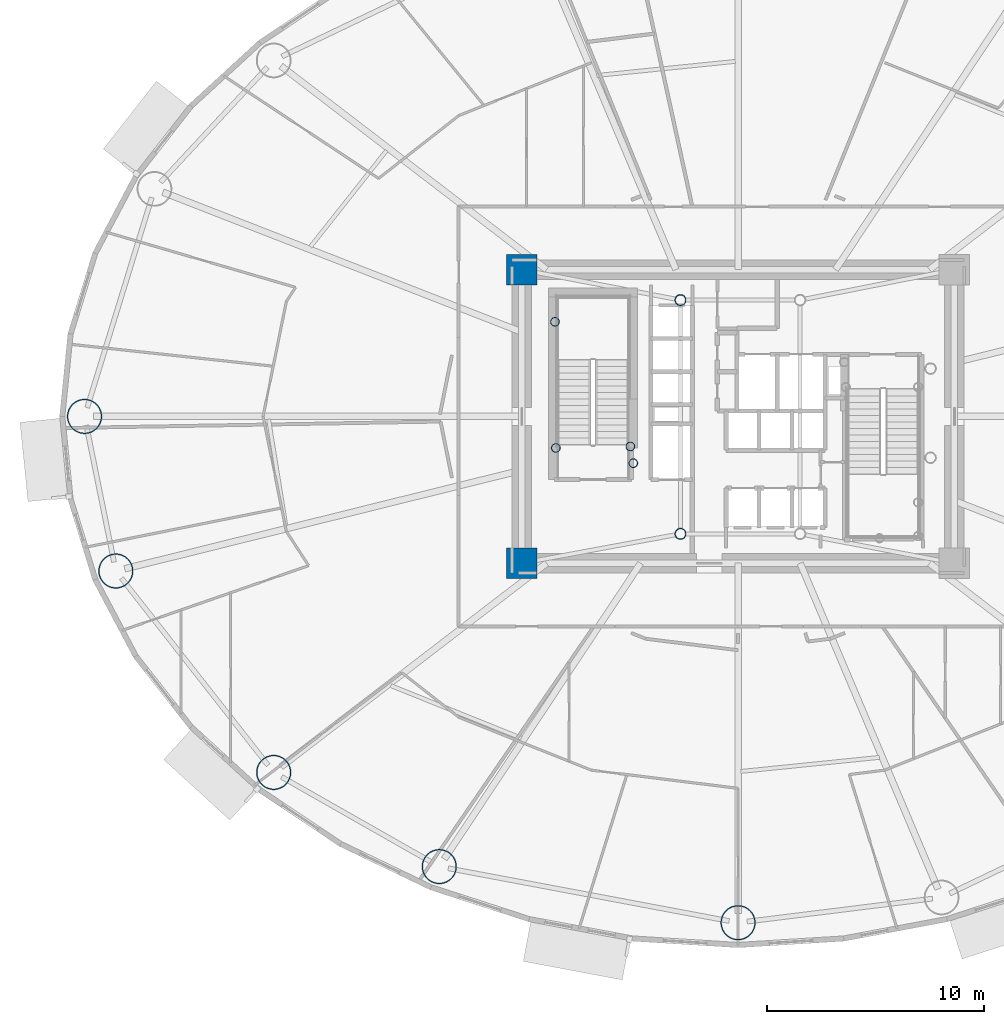
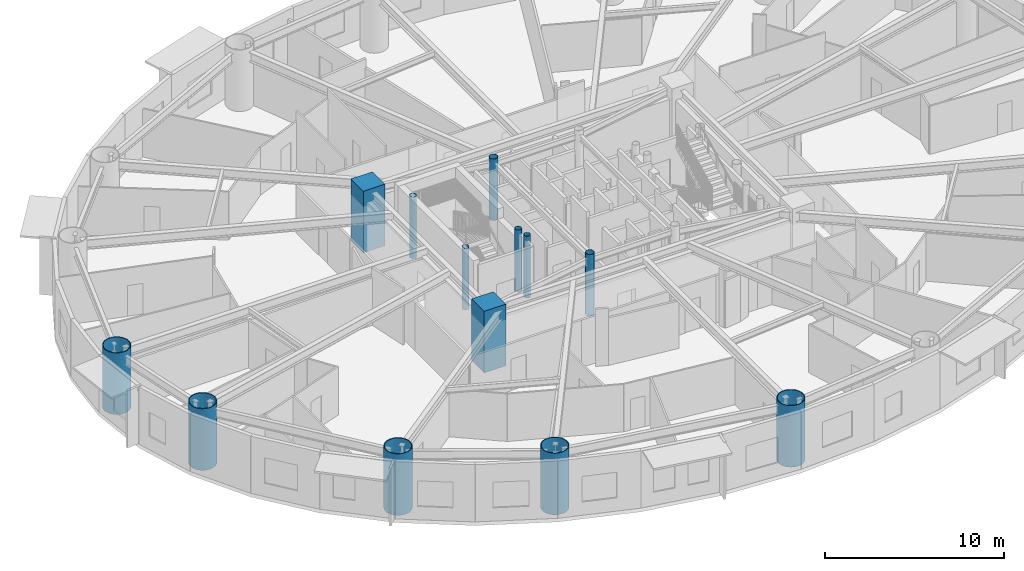
# One storey, part 1 of 21: 13 columns.
"""IFC4 building model written with IfcOpenShell, lengths in metres."""

import ifcopenshell
import ifcopenshell.guid

model = None  # the IFC model being written
_history = None  # IfcOwnerHistory: only IFC2X3 demands one
_inside = {}  # id of a spatial element -> (the spatial element, [elements in it])
_under = {}  # id of a project, library or spatial element -> (it, [spatial elements below it])
_declared = {}  # id of a project -> (the project, [libraries it declares])
_typed = {}  # id of a type object -> (the type object, [elements of that type])
_made_of = {}  # id of a material, layer set ... -> (it, [elements and type objects made of it])


def new_model(schema):
    """Start an empty IFC model of exactly this schema.

    Asked for "IFC4X3", IfcOpenShell would pick the latest addendum, in which some entities
    have other attributes; the version numbers below select the first issue.
    IFC2X3 requires an IfcOwnerHistory on every rooted entity: one is made here for all.
    """
    global model, _history
    if schema == "IFC4X3":
        model = ifcopenshell.file(schema_version=(4, 3, 0, 0))
    else:
        model = ifcopenshell.file(schema=schema)
    _inside.clear()
    _under.clear()
    _declared.clear()
    _typed.clear()
    _made_of.clear()
    _history = None
    if model.schema == "IFC2X3":
        org = make("IfcOrganization", Name="unknown")
        user = make(
            "IfcPersonAndOrganization",
            ThePerson=make("IfcPerson", FamilyName="unknown"),
            TheOrganization=org,
        )
        app = make(
            "IfcApplication",
            ApplicationDeveloper=org,
            Version="unknown",
            ApplicationFullName="unknown",
            ApplicationIdentifier="unknown",
        )
        _history = make(
            "IfcOwnerHistory",
            OwningUser=user,
            OwningApplication=app,
            ChangeAction="ADDED",
            CreationDate=0,
        )
    return model


def make(cls, **values):
    """One entity of the class cls with the attributes given. An attribute that is None is left unset."""
    return model.create_entity(
        cls, **{name: value for name, value in values.items() if value is not None}
    )


def rooted(cls, **values):
    """An entity with a GlobalId (a new one), such as an element, a storey or a relation."""
    return make(cls, GlobalId=ifcopenshell.guid.new(), OwnerHistory=_history, **values)


def si_unit(unit_type, name, prefix=None):
    """IfcSIUnit, for example si_unit("LENGTHUNIT", "METRE", prefix="MILLI")."""
    return make("IfcSIUnit", UnitType=unit_type, Prefix=prefix, Name=name)


def assignment(units):
    """IfcUnitAssignment: the units of a project."""
    return None if units is None else make("IfcUnitAssignment", Units=units)


def point(xyz):
    """IfcCartesianPoint."""
    return None if xyz is None else make("IfcCartesianPoint", Coordinates=xyz)


def direction(xyz):
    """IfcDirection."""
    return None if xyz is None else make("IfcDirection", DirectionRatios=xyz)


def frame(location, z_axis=None, x_axis=None):
    """IfcAxis2Placement3D, a coordinate frame: its origin and axes. An axis left out is left unset."""
    return make(
        "IfcAxis2Placement3D",
        Location=point(location),
        Axis=direction(z_axis),
        RefDirection=direction(x_axis),
    )


def frame_2d(location, x_axis=None):
    """IfcAxis2Placement2D, a coordinate frame in the plane: its origin and x axis."""
    return make(
        "IfcAxis2Placement2D", Location=point(location), RefDirection=direction(x_axis)
    )


def origin():
    """The frame at (0, 0, 0) with its axes left unset."""
    return frame((0.0, 0.0, 0.0))


def origin_2d():
    """The frame at (0, 0) in the plane with its x axis left unset."""
    return frame_2d((0.0, 0.0))


def place(relative_to, where):
    """IfcLocalPlacement: puts the frame where relative to a parent placement (None: the world)."""
    return make(
        "IfcLocalPlacement", PlacementRelTo=relative_to, RelativePlacement=where
    )


def context(
    kind, dimensions, precision=None, world=None, true_north=None, identifier=None
):
    """IfcGeometricRepresentationContext, for example the 3D "Model" context."""
    return make(
        "IfcGeometricRepresentationContext",
        ContextIdentifier=identifier,
        ContextType=kind,
        CoordinateSpaceDimension=dimensions,
        Precision=precision,
        WorldCoordinateSystem=world,
        TrueNorth=true_north,
    )


def subcontext(parent, identifier, kind, view, scale=None):
    """IfcGeometricRepresentationSubContext, for example "Body" below "Model"."""
    return make(
        "IfcGeometricRepresentationSubContext",
        ContextIdentifier=identifier,
        ContextType=kind,
        ParentContext=parent,
        TargetScale=scale,
        TargetView=view,
    )


def project(units=None, contexts=None):
    """IfcProject with its units and contexts."""
    return rooted(
        "IfcProject",
        Name="project",
        RepresentationContexts=contexts,
        UnitsInContext=assignment(units),
    )


def spatial(cls, under=None, at=None, **own):
    """A site, building, storey or space (cls), placed at a placement, below another one or the project."""
    s = rooted(cls, ObjectPlacement=at, **own)
    if under is not None:
        _under.setdefault(under.id(), (under, []))[1].append(s)
    return s


def profile(cls, at=None, kind="AREA", **sizes):
    """A parametric profile (cls). Its sizes go by their IFC names, for example OverallWidth=200.0."""
    return make(cls, ProfileType=kind, Position=at, **sizes)


def rectangle(**sizes):
    """IfcRectangleProfileDef."""
    return profile("IfcRectangleProfileDef", **sizes)


def hollow_circle(**sizes):
    """IfcCircleHollowProfileDef."""
    return profile("IfcCircleHollowProfileDef", **sizes)


def extrude(swept, where, along, depth):
    """IfcExtrudedAreaSolid: the profile swept, set in the frame where, extruded along a direction by depth."""
    return make(
        "IfcExtrudedAreaSolid",
        SweptArea=swept,
        Position=where,
        ExtrudedDirection=direction(along),
        Depth=depth,
    )


def shape(context_of_items, identifier, shape_type, items):
    """IfcShapeRepresentation: the items that make up one representation, for example the "Body"."""
    return make(
        "IfcShapeRepresentation",
        ContextOfItems=context_of_items,
        RepresentationIdentifier=identifier,
        RepresentationType=shape_type,
        Items=items,
    )


def material(Name=None, Category=None):
    """IfcMaterial."""
    return make("IfcMaterial", Name=Name, Category=Category)


def material_profile(
    of_material, cross_section, Name=None, Category=None, Priority=None
):
    """IfcMaterialProfile: a cross section and its material."""
    return make(
        "IfcMaterialProfile",
        Name=Name,
        Material=of_material,
        Profile=cross_section,
        Priority=Priority,
        Category=Category,
    )


def profile_set(profiles, Name=None, composite=None):
    """IfcMaterialProfileSet."""
    return make(
        "IfcMaterialProfileSet",
        Name=Name,
        MaterialProfiles=profiles,
        CompositeProfile=composite,
    )


def made_of(thing, what):
    """Note that an element or type object is made of a material, layer set ...; save() writes the relation."""
    if what is not None:
        _made_of.setdefault(what.id(), (what, []))[1].append(thing)
    return thing


def type_object(cls, material=None, **own):
    """A type object (cls), such as IfcWallType, which elements share."""
    return made_of(rooted(cls, **own), material)


def element(
    cls,
    number,
    at=None,
    inside=None,
    cuts=None,
    type_object=None,
    material=None,
    context=None,
    identifier="Body",
    shape_type=None,
    held_by="IfcProductDefinitionShape",
    body=None,
    shapes=None,
    **own,
):
    """One element of the class cls, such as IfcWall. Its Tag is "e" and its number.

    at: its placement. inside: the storey or other place that contains it. cuts: it is an
    opening in that element (IfcRelVoidsElement). A single representation is given by context,
    identifier, shape_type and body (its items); several are given by shapes. held_by: the class
    of the entity that holds the representations. save() writes the other relations.
    """
    e = rooted(cls, Tag="e%d" % number, ObjectPlacement=at, **own)
    if body is not None:
        shapes = [shape(context, identifier, shape_type, body)]
    if shapes is not None:
        e.Representation = make(held_by, Representations=shapes)
    if inside is not None:
        _inside.setdefault(inside.id(), (inside, []))[1].append(e)
    if cuts is not None:
        rooted(
            "IfcRelVoidsElement", RelatingBuildingElement=cuts, RelatedOpeningElement=e
        )
    if type_object is not None:
        _typed.setdefault(type_object.id(), (type_object, []))[1].append(e)
    return made_of(e, material)


def aggregate(whole, parts):
    """IfcRelAggregates: a whole, such as a stair, and the parts it consists of."""
    return rooted("IfcRelAggregates", RelatingObject=whole, RelatedObjects=parts)


def save(model, path):
    """Write the relations noted so far, then the file.

    IfcRelAggregates (storeys below a building ...), IfcRelContainedInSpatialStructure (elements
    in a storey), IfcRelDefinesByType, IfcRelAssociatesMaterial and IfcRelDeclares: one each for
    every whole, place, type object, material and project.
    """
    for whole, parts in _under.values():
        aggregate(whole, parts)
    for where, things in _inside.values():
        rooted(
            "IfcRelContainedInSpatialStructure",
            RelatedElements=things,
            RelatingStructure=where,
        )
    for kind, things in _typed.values():
        rooted("IfcRelDefinesByType", RelatedObjects=things, RelatingType=kind)
    for what, things in _made_of.values():
        rooted("IfcRelAssociatesMaterial", RelatedObjects=things, RelatingMaterial=what)
    for by, libraries in _declared.values():
        rooted("IfcRelDeclares", RelatingContext=by, RelatedDefinitions=libraries)
    model.write(path)


model = new_model("IFC4")

# Units and contexts
model_context = context("Model", 3, precision=1e-05, world=origin(), true_north=direction((0.0, 1.0)))
body_context = subcontext(model_context, "Body", "Model", "MODEL_VIEW")
ifc_project = project(units=[si_unit("LENGTHUNIT", "METRE"), si_unit("AREAUNIT", "SQUARE_METRE"), si_unit("VOLUMEUNIT", "CUBIC_METRE"), si_unit("PLANEANGLEUNIT", "RADIAN"), si_unit("MASSUNIT", "GRAM", prefix="KILO")], contexts=[model_context])

# Site, building, storey
site_placement = place(None, origin())
site = spatial("IfcSite", under=ifc_project, at=site_placement, CompositionType="ELEMENT")
building_placement = place(site_placement, origin())
building = spatial("IfcBuilding", under=site, at=building_placement, Name="Linh Dai School and Residence Tower", CompositionType="ELEMENT")
storey_placement = place(building_placement, frame((0.0, 0.0, 82.800048828125)))
storey = spatial("IfcBuildingStorey", under=building, at=storey_placement, Name="L19", CompositionType="ELEMENT", Elevation=82.800048828125)

# Columns
ifc_material_1 = material(Name="Concrete B60 (C50/60)", Category="concrete")
ifc_material_profile_1 = material_profile(ifc_material_1, rectangle(XDim=1.39990234375, YDim=1.39990234375, at=origin_2d()), Name="RC 1400x1400")
ifc_profile_set_1 = profile_set([ifc_material_profile_1], Name="Concrete B60 (C50/60)")
column_type_1 = type_object("IfcColumnType", Name="COL-CC1", PredefinedType="COLUMN", material=ifc_profile_set_1)
for number, where, z_axis, x_axis, name in (
    (1, (26.050048828125, 20.25, 0.0), (0.0, 0.0, 1.0), (1.0, 0.0, 0.0), "L19 Core Corner Pier CC1"),
    (2, (26.050048828125, 33.75, 0.0), (0.0, 0.0, 1.0), (1.0, 0.0, 0.0), "L19 Core Corner Pier CC4"),
):
    element("IfcColumn", number, at=place(storey_placement, frame(where, z_axis=z_axis, x_axis=x_axis)), inside=storey, type_object=column_type_1, Name=name, PredefinedType="COLUMN", context=body_context, shape_type="SweptSolid", body=[
        extrude(rectangle(XDim=1.39990234375, YDim=1.39990234375, at=origin_2d()), origin(), (0.0, 0.0, 1.0), 4.199951171875),
    ])
ifc_material_2 = material(Name="Structural Steel S355JR", Category="steel")
ifc_material_profile_2 = material_profile(ifc_material_2, hollow_circle(Radius=0.203125, WallThickness=0.01611328125, at=origin_2d()), Name="CHS 406.4x16")
ifc_profile_set_2 = profile_set([ifc_material_profile_2], Name="Structural Steel S355JR")
column_type_2 = type_object("IfcColumnType", Name="COL-EC", PredefinedType="COLUMN", material=ifc_profile_set_2)
for number, where, z_axis, x_axis, name in (
    (3, (27.580078125, 31.35009765625, 0.0), (0.0, 0.0, 1.0), (1.0, 0.0, 0.0), "L19 Stair Shaft Landing Support Pier ST1NW"),
    (4, (31.050048828125, 25.6201171875, 0.0), (0.0, 0.0, 1.0), (1.0, 0.0, 0.0), "L19 Stair Shaft Landing Support Pier ST1SE"),
    (5, (31.179931640625, 24.85009765625, 0.0), (0.0, 0.0, 1.0), (1.0, 0.0, 0.0), "L19 Stair Shaft Landing Support Pier ST1SM"),
    (6, (27.6201171875, 25.550048828125, 0.0), (0.0, 0.0, 1.0), (1.0, 0.0, 0.0), "L19 Stair Shaft Landing Support Pier ST1SW"),
):
    element("IfcColumn", number, at=place(storey_placement, frame(where, z_axis=z_axis, x_axis=x_axis)), inside=storey, type_object=column_type_2, Name=name, PredefinedType="COLUMN", context=body_context, shape_type="SweptSolid", body=[
        extrude(hollow_circle(Radius=0.203125, WallThickness=0.01611328125, at=origin_2d()), origin(), (0.0, 0.0, 1.0), 4.199951171875),
    ])
ifc_material_profile_3 = material_profile(ifc_material_2, hollow_circle(Radius=0.800048828125, WallThickness=0.044921875, at=origin_2d()), Name="CHS 1600x45")
ifc_profile_set_3 = profile_set([ifc_material_profile_3], Name="Structural Steel S355JR")
column_type_3 = type_object("IfcColumnType", Name="COL-MC2", PredefinedType="COLUMN", material=ifc_profile_set_3)
for number, where, z_axis, x_axis, name in (
    (7, (5.949951171875, 27.0, 0.0), (0.0, 0.0, 1.0), (1.0, 0.0, 0.0), "L19 Perimeter CFT Mega-Column MC09"),
    (8, (7.38916015625, 19.891357421875, 0.0), (0.0, 0.0, 1.0), (1.0, 0.0, 0.0), "L19 Perimeter CFT Mega-Column MC10"),
    (9, (14.647216796875, 10.630859375, 0.0), (0.0, 0.0, 1.0), (1.0, 0.0, 0.0), "L19 Perimeter CFT Mega-Column MC11"),
    (10, (22.26171875, 6.30078125, 0.0), (0.0, 0.0, 1.0), (1.0, 0.0, 0.0), "L19 Perimeter CFT Mega-Column MC12"),
    (11, (36.0, 3.719970703125, 0.0), (0.0, 0.0, 1.0), (1.0, 0.0, 0.0), "L19 Perimeter CFT Mega-Column MC13"),
):
    element("IfcColumn", number, at=place(storey_placement, frame(where, z_axis=z_axis, x_axis=x_axis)), inside=storey, type_object=column_type_3, Name=name, PredefinedType="COLUMN", context=body_context, shape_type="SweptSolid", body=[
        extrude(hollow_circle(Radius=0.800048828125, WallThickness=0.044921875, at=origin_2d()), origin(), (0.0, 0.0, 1.0), 4.199951171875),
    ])
ifc_material_profile_4 = material_profile(ifc_material_2, hollow_circle(Radius=0.25390625, WallThickness=0.02001953125, at=origin_2d()), Name="CHS 508x20")
ifc_profile_set_4 = profile_set([ifc_material_profile_4], Name="Structural Steel S355JR")
column_type_4 = type_object("IfcColumnType", Name="COL-MCP", PredefinedType="COLUMN", material=ifc_profile_set_4)
for number, where, z_axis, x_axis, name in (
    (12, (33.35009765625, 21.60009765625, 0.0), (0.0, 0.0, 1.0), (1.0, 0.0, 0.0), "L19 Core Mast Support Pier MCP1"),
    (13, (33.35009765625, 32.35009765625, 0.0), (0.0, 0.0, 1.0), (1.0, 0.0, 0.0), "L19 Core Mast Support Pier MCP4"),
):
    element("IfcColumn", number, at=place(storey_placement, frame(where, z_axis=z_axis, x_axis=x_axis)), inside=storey, type_object=column_type_4, Name=name, PredefinedType="COLUMN", context=body_context, shape_type="SweptSolid", body=[
        extrude(hollow_circle(Radius=0.25390625, WallThickness=0.02001953125, at=origin_2d()), origin(), (0.0, 0.0, 1.0), 4.199951171875),
    ])

save(model, "model.ifc")
